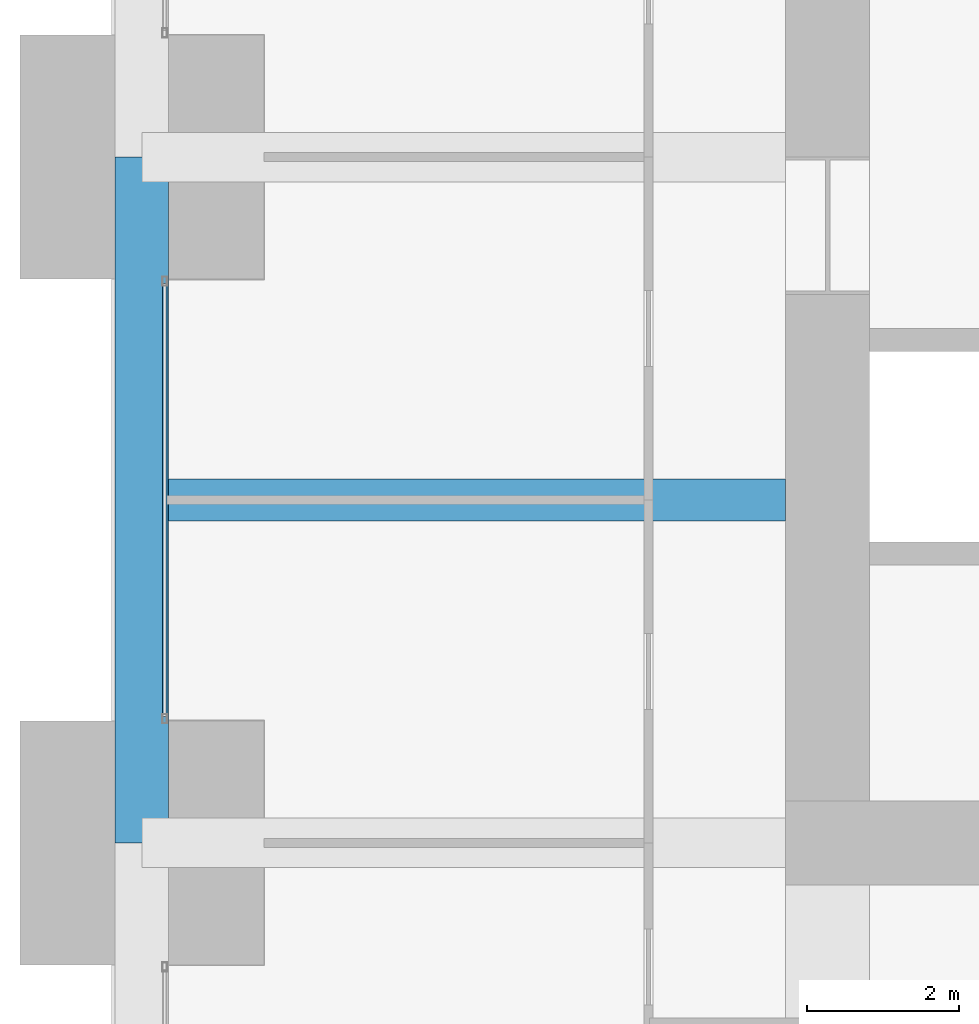
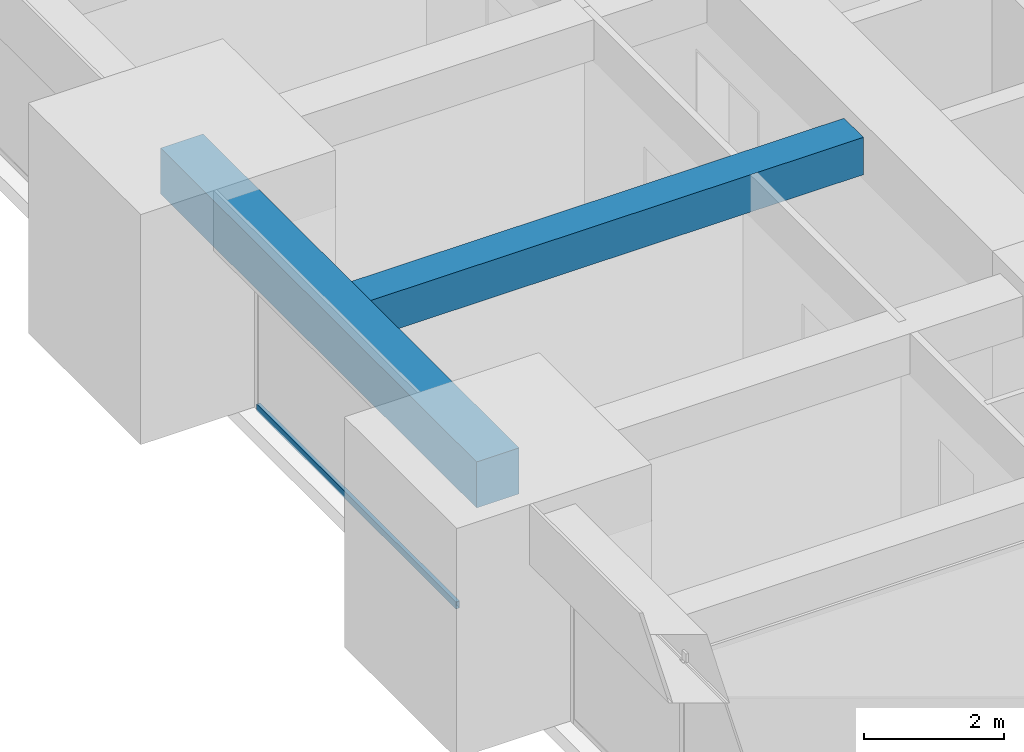
# One storey, part 14 of 43: 2 beams, 1 member, 1 element without a shape of its own.
"""IFC4 building model written with IfcOpenShell, lengths in metres."""

from ifc_helpers import new_model, si_unit, direction, frame, origin, origin_2d, place, context, subcontext, project, spatial, rectangle, hollow_rectangle, extrude, material, material_profile, profile_set, type_object, element, aggregate, save


model = new_model("IFC4")

# Units and contexts
model_context = context("Model", 3, precision=1e-05, world=origin(), true_north=direction((0.0, 1.0)))
body_context = subcontext(model_context, "Body", "Model", "MODEL_VIEW")
ifc_project = project(units=[si_unit("LENGTHUNIT", "METRE"), si_unit("AREAUNIT", "SQUARE_METRE"), si_unit("VOLUMEUNIT", "CUBIC_METRE"), si_unit("PLANEANGLEUNIT", "RADIAN"), si_unit("MASSUNIT", "GRAM", prefix="KILO")], contexts=[model_context])

# Site, building, storey
site_placement = place(None, origin())
site = spatial("IfcSite", under=ifc_project, at=site_placement, CompositionType="ELEMENT")
building_placement = place(site_placement, origin())
building = spatial("IfcBuilding", under=site, at=building_placement, Name="Zorevar Civic Tower", CompositionType="ELEMENT")
storey_placement = place(building_placement, frame((0.0, 0.0, 243.39990234375)))
storey = spatial("IfcBuildingStorey", under=building, at=storey_placement, Name="L59", CompositionType="ELEMENT", Elevation=243.39990234375)

# Beam
ifc_material_1 = material(Name="Concrete C50/60", Category="concrete")
ifc_material_profile_1 = material_profile(ifc_material_1, rectangle(XDim=0.550048828125, YDim=0.64990234375, at=origin_2d()), Name="RC 550x650")
ifc_profile_set_1 = profile_set([ifc_material_profile_1], Name="Concrete C50/60")
beam_type_1 = type_object("IfcBeamType", Name="Beam RC 550x650", PredefinedType="BEAM", material=ifc_profile_set_1)
beam_1_placement = place(storey_placement, frame((9.35009765625, 22.5, 3.425048828125), z_axis=(1.0, 0.0, 0.0), x_axis=(0.0, 1.0, 0.0)))
element("IfcBeam", 1, at=beam_1_placement, inside=storey, type_object=beam_type_1, Name="Secondary beam L60", PredefinedType="BEAM", context=body_context, shape_type="SweptSolid", body=[
    extrude(rectangle(XDim=0.550048828125, YDim=0.64990234375, at=origin_2d()), origin(), (0.0, 0.0, 1.0), 8.099853515625),
])

# Curtain wall, member
ifc_material_2 = material(Name="Dark grey solar-control glass in black aluminium frame", Category="aluminium")
curtain_wall_type = type_object("IfcCurtainWallType", Name="Curtain wall CW5 top zone", PredefinedType="NOTDEFINED", material=ifc_material_2)
curtain_wall_placement = place(storey_placement, origin())
curtain_wall = element("IfcCurtainWall", 2, at=curtain_wall_placement, inside=storey, type_object=curtain_wall_type, Name="CW5 L59", PredefinedType="NOTDEFINED")
ifc_material_3 = material(Name="Aluminium, black anodised", Category="aluminium")
ifc_material_profile_2 = material_profile(ifc_material_3, hollow_rectangle(XDim=0.06005859375, YDim=0.1201171875, WallThickness=0.0029296875, at=origin_2d()), Name="AL 120x60x3")
ifc_profile_set_2 = profile_set([ifc_material_profile_2], Name="Aluminium, black anodised")
member_type = type_object("IfcMemberType", Name="CW5 transom AL 120x60x3", PredefinedType="USERDEFINED", material=ifc_profile_set_2)
member_placement = place(storey_placement, frame((9.300048828125, 19.659912109375, 0.030029296875), z_axis=(0.0, 1.0, 0.0), x_axis=(-1.0, 0.0, 0.0)))
member = element("IfcMember", 3, at=member_placement, type_object=member_type, Name="CW5 sill transom", ObjectType="TRANSOM", PredefinedType="USERDEFINED", context=body_context, shape_type="SweptSolid", body=[
    extrude(hollow_rectangle(XDim=0.06005859375, YDim=0.1201171875, WallThickness=0.0029296875, at=origin_2d()), origin(), (0.0, 0.0, 1.0), 5.68017578125),
])
aggregate(curtain_wall, [member])

# Beam
ifc_material_4 = material(Name="Concrete C50/60", Category="concrete")
ifc_material_profile_3 = material_profile(ifc_material_4, rectangle(XDim=0.699951171875, YDim=0.800048828125, at=origin_2d()), Name="RC 700x800")
ifc_profile_set_3 = profile_set([ifc_material_profile_3], Name="Concrete C50/60")
beam_type_2 = type_object("IfcBeamType", Name="Edge beam RC 700x800", PredefinedType="SPANDREL", material=ifc_profile_set_3)
beam_2_placement = place(storey_placement, frame((9.0, 18.0, 3.35009765625), z_axis=(0.0, 1.0, 0.0), x_axis=(-1.0, 0.0, 0.0)))
element("IfcBeam", 4, at=beam_2_placement, inside=storey, type_object=beam_type_2, Name="Edge beam L60", PredefinedType="SPANDREL", context=body_context, shape_type="SweptSolid", body=[
    extrude(rectangle(XDim=0.699951171875, YDim=0.800048828125, at=origin_2d()), origin(), (0.0, 0.0, 1.0), 9.0),
])

save(model, "model.ifc")
